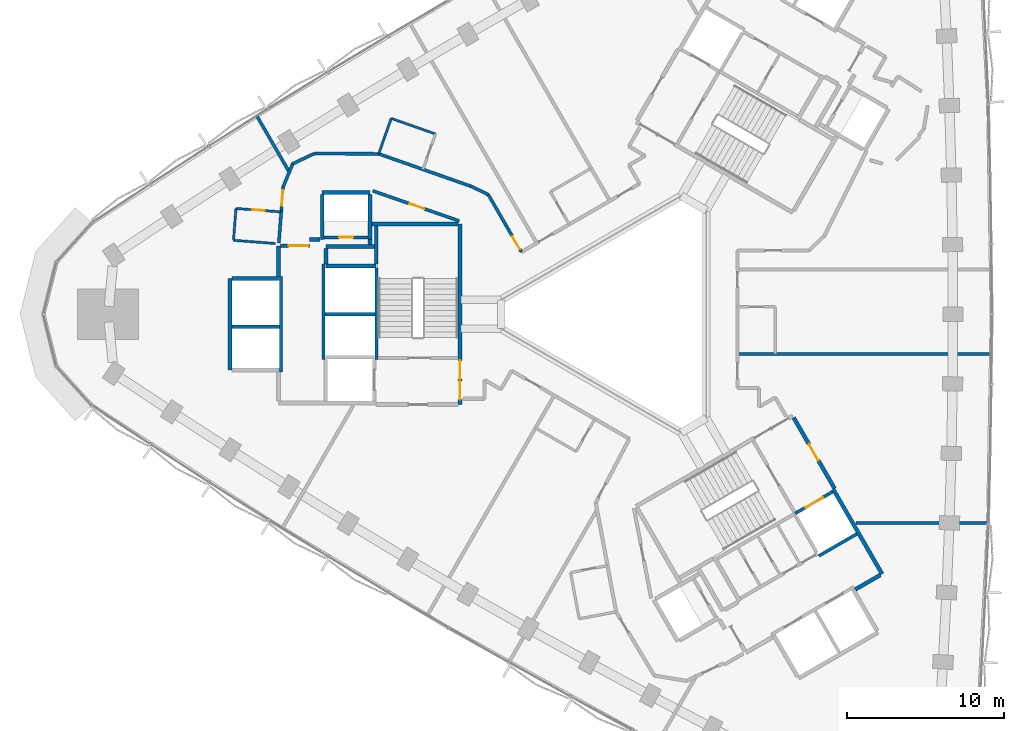
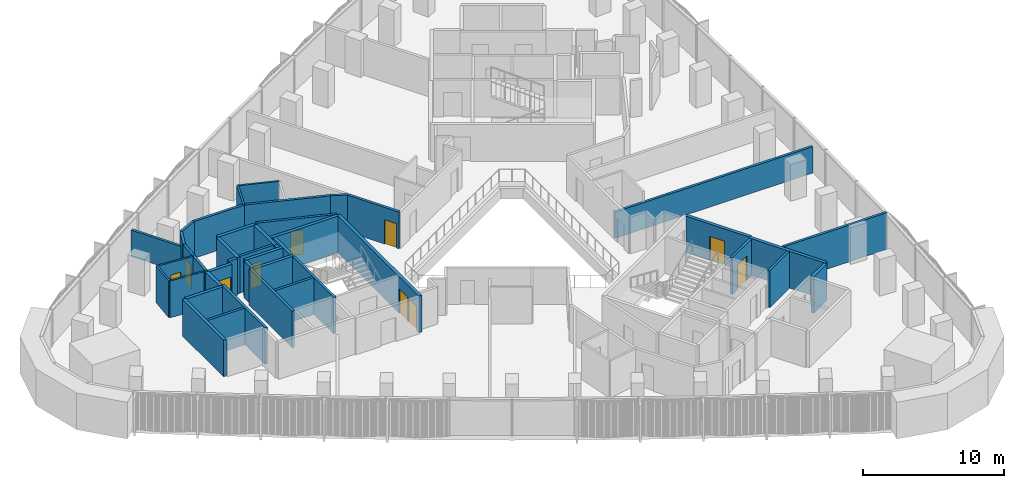
# One storey, part 9 of 15: 42 walls, 10 doors, 10 openings.
"""IFC4 building model written with IfcOpenShell, lengths in metres."""

from ifc_helpers import new_model, si_unit, direction, frame, frame_2d, origin, place, context, subcontext, project, spatial, rectangle, extrude, material, layer, layer_set, type_object, element, fill, save


model = new_model("IFC4")

# Units and contexts
model_context = context("Model", 3, precision=1e-05, world=origin(), true_north=direction((0.0, 1.0)))
body_context = subcontext(model_context, "Body", "Model", "MODEL_VIEW")
ifc_project = project(units=[si_unit("LENGTHUNIT", "METRE"), si_unit("AREAUNIT", "SQUARE_METRE"), si_unit("VOLUMEUNIT", "CUBIC_METRE"), si_unit("PLANEANGLEUNIT", "RADIAN"), si_unit("MASSUNIT", "GRAM", prefix="KILO")], contexts=[model_context])

# Site, building, storey
site_placement = place(None, origin())
site = spatial("IfcSite", under=ifc_project, at=site_placement, CompositionType="ELEMENT")
building_placement = place(site_placement, origin())
building = spatial("IfcBuilding", under=site, at=building_placement, Name="Tamra Quay Hotel Tower", CompositionType="ELEMENT")
storey_placement = place(building_placement, frame((0.0, 0.0, 97.39990234375)))
storey = spatial("IfcBuildingStorey", under=building, at=storey_placement, Name="L23", CompositionType="ELEMENT", Elevation=97.39990234375)

# Walls
ifc_material_1 = material(Name="Concrete M70", Category="concrete")
ifc_layer_1 = layer(ifc_material_1, 0.199951171875)
ifc_layer_set_1 = layer_set([ifc_layer_1], Name="Concrete M70 core wall 200")
wall_type_1 = type_object("IfcWallType", Name="Concrete M70 core wall 200", PredefinedType="SHEAR", material=ifc_layer_set_1)
wall_1_placement = place(storey_placement, frame((-16.162109375, 2.95068359375, 0.0), z_axis=(0.0, 0.0, 1.0), x_axis=(0.0, -1.0, 0.0)))
element("IfcWall", 1, at=wall_1_placement, inside=storey, type_object=wall_type_1, Name="CW2", PredefinedType="SHEAR", context=body_context, shape_type="SweptSolid", body=[
    extrude(rectangle(XDim=5.850830078125, YDim=0.199951171875, at=frame_2d((2.92529296875, 0.0))), origin(), (0.0, 0.0, 1.0), 3.175048828125),
])
for number, where, z_axis, x_axis, name in (
    (2, (-19.5625, -2.900146484375, 0.0), (0.0, 0.0, 1.0), (0.0, 1.0, 0.0), "CW2"),
    (3, (-22.26220703125, 2.400146484375, 0.0), (0.0, 0.0, 1.0), (0.0, -1.0, 0.0), "CW2"),
):
    element("IfcWall", number, at=place(storey_placement, frame(where, z_axis=z_axis, x_axis=x_axis)), inside=storey, type_object=wall_type_1, Name=name, PredefinedType="SHEAR", context=body_context, shape_type="SweptSolid", body=[
        extrude(rectangle(XDim=6.100341796875, YDim=0.199951171875, at=frame_2d((3.05029296875, 0.0))), origin(), (0.0, 0.0, 1.0), 3.175048828125),
    ])
wall_2_placement = place(storey_placement, frame((-16.26318359375, 0.0, 0.0), z_axis=(0.0, 0.0, 1.0), x_axis=(-1.0, 0.0, 0.0)))
element("IfcWall", 4, at=wall_2_placement, inside=storey, type_object=wall_type_1, Name="CW2", PredefinedType="SHEAR", context=body_context, shape_type="SweptSolid", body=[
    extrude(rectangle(XDim=3.1982421875, YDim=0.199951171875, at=frame_2d((1.59912109375, 0.0))), origin(), (0.0, 0.0, 1.0), 3.175048828125),
])
wall_3_placement = place(storey_placement, frame((-22.36328125, -0.800048828125, 0.0), z_axis=(0.0, 0.0, 1.0), x_axis=(-1.0, 0.0, 0.0)))
element("IfcWall", 5, at=wall_3_placement, inside=storey, type_object=wall_type_1, Name="CW2", PredefinedType="SHEAR", context=body_context, shape_type="SweptSolid", body=[
    extrude(rectangle(XDim=3.048095703125, YDim=0.199951171875, at=frame_2d((1.52392578125, 0.0))), origin(), (0.0, 0.0, 1.0), 3.175048828125),
])

# Wall, opening, door
wall_4_placement = place(storey_placement, frame((-19.51123046875, 4.91015625, 0.0), z_axis=(0.0, 0.0, 1.0), x_axis=(1.0, 0.0, 0.0)))
wall_4 = element("IfcWall", 6, at=wall_4_placement, inside=storey, type_object=wall_type_1, Name="CW2", PredefinedType="SHEAR", context=body_context, shape_type="SweptSolid", body=[
    extrude(rectangle(XDim=2.7978515625, YDim=0.199951171875, at=frame_2d((1.39892578125, 0.0))), origin(), (0.0, 0.0, 1.0), 3.175048828125),
])
opening_1_placement = place(wall_4_placement, frame((0.948974609375, 0.0, 0.0)))
opening_1 = element("IfcOpeningElement", 7, at=opening_1_placement, cuts=wall_4, Name="Opening D1", PredefinedType="OPENING", context=body_context, shape_type="SweptSolid", body=[
    extrude(rectangle(XDim=0.89990234375, YDim=2.10009765625, at=frame_2d((0.449951171875, 1.050048828125))), frame((0.0, 0.10986328125, 0.0), z_axis=(0.0, -1.0, 0.0), x_axis=(1.0, 0.0, 0.0)), (0.0, 0.0, 1.0), 0.219970703125),
])
ifc_material_2 = material(Name="Core door D1 900x2100 LH")
door_type_1 = type_object("IfcDoorType", Name="Core door D1 900x2100 LH", OperationType="NOTDEFINED", PredefinedType="DOOR", material=ifc_material_2)
door_1_placement = place(opening_1_placement, origin())
door_1 = element("IfcDoor", 8, at=door_1_placement, inside=storey, type_object=door_type_1, Name="D1", OperationType="SINGLE_SWING_LEFT", OverallHeight=2.10009765625, OverallWidth=0.89990234375, PredefinedType="DOOR", context=body_context, shape_type="SweptSolid", body=[
    extrude(rectangle(XDim=0.89990234375, YDim=2.10009765625, at=frame_2d((0.449951171875, 1.050048828125))), frame((0.0, 0.02490234375, 0.0), z_axis=(0.0, -1.0, 0.0), x_axis=(1.0, 0.0, 0.0)), (0.0, 0.0, 1.0), 0.050048828125),
])
fill(opening_1, door_1)

wall_5_placement = place(storey_placement, frame((10.587158203125, -12.72314453125, 0.0), z_axis=(0.0, 0.0, 1.0), x_axis=(0.866037306777, 0.499979382845, 0.0)))
wall_5 = element("IfcWall", 9, at=wall_5_placement, inside=storey, type_object=wall_type_1, Name="CW2", PredefinedType="SHEAR", context=body_context, shape_type="SweptSolid", body=[
    extrude(rectangle(XDim=2.74169921875, YDim=0.199951171875, at=frame_2d((1.370849609375, 0.0))), origin(), (0.0, 0.0, 1.0), 3.175048828125),
])
opening_2_placement = place(wall_5_placement, frame((0.742919921875, 0.0, 0.0)))
opening_2 = element("IfcOpeningElement", 10, at=opening_2_placement, cuts=wall_5, Name="Opening LD", PredefinedType="OPENING", context=body_context, shape_type="SweptSolid", body=[
    extrude(rectangle(XDim=1.300048828125, YDim=2.10009765625, at=frame_2d((0.64990234375, 1.050048828125))), frame((0.0, 0.10986328125, 0.0), z_axis=(0.0, -1.0, 0.0), x_axis=(1.0, 0.0, 0.0)), (0.0, 0.0, 1.0), 0.219970703125),
])
ifc_material_3 = material(Name="Landing door LD 1300 sliding to left")
door_type_2 = type_object("IfcDoorType", Name="Landing door LD 1300 sliding to left", OperationType="NOTDEFINED", PredefinedType="DOOR", material=ifc_material_3)
door_2_placement = place(opening_2_placement, origin())
door_2 = element("IfcDoor", 11, at=door_2_placement, inside=storey, type_object=door_type_2, Name="LD", OperationType="SLIDING_TO_LEFT", OverallHeight=2.10009765625, OverallWidth=1.300048828125, PredefinedType="DOOR", context=body_context, shape_type="SweptSolid", body=[
    extrude(rectangle(XDim=1.300048828125, YDim=2.10009765625, at=frame_2d((0.64990234375, 1.050048828125))), frame((0.0, 0.02490234375, 0.0), z_axis=(0.0, -1.0, 0.0), x_axis=(1.0, 0.0, 0.0)), (0.0, 0.0, 1.0), 0.050048828125),
])
fill(opening_2, door_2)

# Wall
wall_6_placement = place(storey_placement, frame((14.51171875, -14.037109375, 0.0), z_axis=(0.0, 0.0, 1.0), x_axis=(-0.866044696403, -0.499966582715, 0.0)))
element("IfcWall", 12, at=wall_6_placement, inside=storey, type_object=wall_type_1, Name="CW2", PredefinedType="SHEAR", context=body_context, shape_type="SweptSolid", body=[
    extrude(rectangle(XDim=2.799072265625, YDim=0.199951171875, at=frame_2d((1.3994140625, 0.0))), origin(), (0.0, 0.0, 1.0), 3.175048828125),
])

# Wall, openings, doors
ifc_layer_2 = layer(ifc_material_1, 0.25)
ifc_layer_set_2 = layer_set([ifc_layer_2], Name="Concrete M70 core wall 250")
wall_type_2 = type_object("IfcWallType", Name="Concrete M70 core wall 250", PredefinedType="SHEAR", material=ifc_layer_set_2)
wall_7_placement = place(storey_placement, frame((-10.83740234375, 5.77490234375, 0.0), z_axis=(0.0, 0.0, 1.0), x_axis=(0.0, -1.0, 0.0)))
wall_7 = element("IfcWall", 13, at=wall_7_placement, inside=storey, type_object=wall_type_2, Name="CW1", PredefinedType="SHEAR", context=body_context, shape_type="SweptSolid", body=[
    extrude(rectangle(XDim=11.5498046875, YDim=0.25, at=frame_2d((5.77490234375, 0.0))), origin(), (0.0, 0.0, 1.0), 3.175048828125),
])
opening_3_placement = place(wall_7_placement, frame((10.02490234375, 0.0, 0.0)))
opening_3 = element("IfcOpeningElement", 14, at=opening_3_placement, cuts=wall_7, Name="Opening FD1", PredefinedType="OPENING", context=body_context, shape_type="SweptSolid", body=[
    extrude(rectangle(XDim=1.199951171875, YDim=2.10009765625, at=frame_2d((0.60009765625, 1.050048828125))), frame((0.0, 0.135009765625, 0.0), z_axis=(0.0, -1.0, 0.0), x_axis=(1.0, 0.0, 0.0)), (0.0, 0.0, 1.0), 0.27001953125),
])
opening_4_placement = place(wall_7_placement, frame((8.72509765625, 0.0, 0.0)))
opening_4 = element("IfcOpeningElement", 15, at=opening_4_placement, cuts=wall_7, Name="Opening FD1", PredefinedType="OPENING", context=body_context, shape_type="SweptSolid", body=[
    extrude(rectangle(XDim=1.199951171875, YDim=2.10009765625, at=frame_2d((0.60009765625, 1.050048828125))), frame((0.0, 0.135009765625, 0.0), z_axis=(0.0, -1.0, 0.0), x_axis=(1.0, 0.0, 0.0)), (0.0, 0.0, 1.0), 0.27001953125),
])
ifc_material_4 = material(Name="Core door FD1 1200x2100 LH")
door_type_3 = type_object("IfcDoorType", Name="Core door FD1 1200x2100 LH", OperationType="NOTDEFINED", PredefinedType="DOOR", material=ifc_material_4)
door_3_placement = place(opening_3_placement, origin())
door_3 = element("IfcDoor", 16, at=door_3_placement, inside=storey, type_object=door_type_3, Name="FD1", OperationType="SINGLE_SWING_LEFT", OverallHeight=2.10009765625, OverallWidth=1.199951171875, PredefinedType="DOOR", context=body_context, shape_type="SweptSolid", body=[
    extrude(rectangle(XDim=1.199951171875, YDim=2.10009765625, at=frame_2d((0.60009765625, 1.050048828125))), frame((0.0, 0.02490234375, 0.0), z_axis=(0.0, -1.0, 0.0), x_axis=(1.0, 0.0, 0.0)), (0.0, 0.0, 1.0), 0.050048828125),
])
fill(opening_3, door_3)
ifc_material_5 = material(Name="Core door FD1 1200x2100 RH")
door_type_4 = type_object("IfcDoorType", Name="Core door FD1 1200x2100 RH", OperationType="NOTDEFINED", PredefinedType="DOOR", material=ifc_material_5)
door_4_placement = place(opening_4_placement, origin())
door_4 = element("IfcDoor", 17, at=door_4_placement, inside=storey, type_object=door_type_4, Name="FD1", OperationType="SINGLE_SWING_RIGHT", OverallHeight=2.10009765625, OverallWidth=1.199951171875, PredefinedType="DOOR", context=body_context, shape_type="SweptSolid", body=[
    extrude(rectangle(XDim=1.199951171875, YDim=2.10009765625, at=frame_2d((0.60009765625, 1.050048828125))), frame((0.0, 0.02490234375, 0.0), z_axis=(0.0, -1.0, 0.0), x_axis=(1.0, 0.0, 0.0)), (0.0, 0.0, 1.0), 0.050048828125),
])
fill(opening_4, door_4)

# Walls
wall_8_placement = place(storey_placement, frame((-25.537353515625, -3.574951171875, 0.0), z_axis=(0.0, 0.0, 1.0), x_axis=(0.0, 1.0, 0.0)))
element("IfcWall", 18, at=wall_8_placement, inside=storey, type_object=wall_type_2, Name="CW1", PredefinedType="SHEAR", context=body_context, shape_type="SweptSolid", body=[
    extrude(rectangle(XDim=5.849853515625, YDim=0.25, at=frame_2d((2.9248046875, 0.0))), origin(), (0.0, 0.0, 1.0), 3.175048828125),
])
wall_9_placement = place(storey_placement, frame((-16.47216796875, 5.77490234375, 0.0), z_axis=(0.0, 0.0, 1.0), x_axis=(1.0, 0.0, 0.0)))
element("IfcWall", 19, at=wall_9_placement, inside=storey, type_object=wall_type_2, Name="CW1", PredefinedType="SHEAR", context=body_context, shape_type="SweptSolid", body=[
    extrude(rectangle(XDim=5.509521484375, YDim=0.25, at=frame_2d((2.7548828125, 0.0))), origin(), (0.0, 0.0, 1.0), 3.175048828125),
])
wall_10_placement = place(storey_placement, frame((-19.38720703125, 3.074951171875, 0.0), z_axis=(0.0, 0.0, 1.0), x_axis=(1.0, 0.0, 0.0)))
element("IfcWall", 20, at=wall_10_placement, inside=storey, type_object=wall_type_2, Name="CW1", PredefinedType="SHEAR", context=body_context, shape_type="SweptSolid", body=[
    extrude(rectangle(XDim=3.199951171875, YDim=0.25, at=frame_2d((1.60009765625, 0.0))), origin(), (0.0, 0.0, 1.0), 3.175048828125),
])
wall_11_placement = place(storey_placement, frame((-25.411865234375, 2.27490234375, 0.0), z_axis=(0.0, 0.0, 1.0), x_axis=(1.0, 0.0, 0.0)))
element("IfcWall", 21, at=wall_11_placement, inside=storey, type_object=wall_type_2, Name="CW1", PredefinedType="SHEAR", context=body_context, shape_type="SweptSolid", body=[
    extrude(rectangle(XDim=2.974609375, YDim=0.25, at=frame_2d((1.4873046875, 0.0))), origin(), (0.0, 0.0, 1.0), 3.175048828125),
])
wall_12_placement = place(storey_placement, frame((-19.63720703125, 7.77490234375, 0.0), z_axis=(0.0, 0.0, 1.0), x_axis=(1.0, 0.0, 0.0)))
element("IfcWall", 22, at=wall_12_placement, inside=storey, type_object=wall_type_2, Name="CW1", PredefinedType="SHEAR", context=body_context, shape_type="SweptSolid", body=[
    extrude(rectangle(XDim=3.0498046875, YDim=0.25, at=frame_2d((1.52490234375, 0.0))), origin(), (0.0, 0.0, 1.0), 3.175048828125),
])
for number, where, z_axis, x_axis, name in (
    (23, (-16.58740234375, 7.649658203125, 0.0), (0.0, 0.0, 1.0), (0.0, -1.0, 0.0), "CW1"),
    (24, (-19.63720703125, 4.784912109375, 0.0), (0.0, 0.0, 1.0), (0.0, 1.0, 0.0), "CW1"),
):
    element("IfcWall", number, at=place(storey_placement, frame(where, z_axis=z_axis, x_axis=x_axis)), inside=storey, type_object=wall_type_2, Name=name, PredefinedType="SHEAR", context=body_context, shape_type="SweptSolid", body=[
        extrude(rectangle(XDim=2.86474609375, YDim=0.25, at=frame_2d((1.432373046875, 0.0))), origin(), (0.0, 0.0, 1.0), 3.175048828125),
    ])
wall_13_placement = place(storey_placement, frame((-16.30224609375, 4.31494140625, 0.0), z_axis=(0.0, 0.0, 1.0), x_axis=(-1.0, 0.0, 0.0)))
element("IfcWall", 25, at=wall_13_placement, inside=storey, type_object=wall_type_2, Name="CW1", PredefinedType="SHEAR", context=body_context, shape_type="SweptSolid", body=[
    extrude(rectangle(XDim=3.0849609375, YDim=0.25, at=frame_2d((1.54248046875, 0.0))), origin(), (0.0, 0.0, 1.0), 3.175048828125),
])
wall_14_placement = place(storey_placement, frame((-16.187255859375, 3.200439453125, 0.0), z_axis=(0.0, 0.0, 1.0), x_axis=(0.0, 1.0, 0.0)))
element("IfcWall", 26, at=wall_14_placement, inside=storey, type_object=wall_type_2, Name="CW1", PredefinedType="SHEAR", context=body_context, shape_type="SweptSolid", body=[
    extrude(rectangle(XDim=2.44921875, YDim=0.25, at=frame_2d((1.224609375, 0.0))), origin(), (0.0, 0.0, 1.0), 3.175048828125),
])
wall_15_placement = place(storey_placement, frame((-22.437255859375, 2.400390625, 0.0), z_axis=(0.0, 0.0, 1.0), x_axis=(0.0, 1.0, 0.0)))
element("IfcWall", 27, at=wall_15_placement, inside=storey, type_object=wall_type_2, Name="CW1", PredefinedType="SHEAR", context=body_context, shape_type="SweptSolid", body=[
    extrude(rectangle(XDim=1.974609375, YDim=0.25, at=frame_2d((0.9873046875, 0.0))), origin(), (0.0, 0.0, 1.0), 3.175048828125),
])

# Wall, opening, door
wall_16_placement = place(storey_placement, frame((-22.311767578125, 4.375, 0.0), z_axis=(0.0, 0.0, 1.0), x_axis=(1.0, 0.0, 0.0)))
wall_16 = element("IfcWall", 28, at=wall_16_placement, inside=storey, type_object=wall_type_2, Name="CW1", PredefinedType="SHEAR", context=body_context, shape_type="SweptSolid", body=[
    extrude(rectangle(XDim=1.864501953125, YDim=0.25, at=frame_2d((0.93212890625, 0.0))), origin(), (0.0, 0.0, 1.0), 3.175048828125),
])
opening_5_placement = place(wall_16_placement, frame((0.53466796875, 0.0, 0.0)))
opening_5 = element("IfcOpeningElement", 29, at=opening_5_placement, cuts=wall_16, Name="Opening FD3", PredefinedType="OPENING", context=body_context, shape_type="SweptSolid", body=[
    extrude(rectangle(XDim=1.25, YDim=2.10009765625, at=frame_2d((0.625, 1.050048828125))), frame((0.0, 0.135009765625, 0.0), z_axis=(0.0, -1.0, 0.0), x_axis=(1.0, 0.0, 0.0)), (0.0, 0.0, 1.0), 0.27001953125),
])
ifc_material_6 = material(Name="Core door FD3 1250x2100 LH")
door_type_5 = type_object("IfcDoorType", Name="Core door FD3 1250x2100 LH", OperationType="NOTDEFINED", PredefinedType="DOOR", material=ifc_material_6)
door_5_placement = place(opening_5_placement, origin())
door_5 = element("IfcDoor", 30, at=door_5_placement, inside=storey, type_object=door_type_5, Name="FD3", OperationType="SINGLE_SWING_LEFT", OverallHeight=2.10009765625, OverallWidth=1.25, PredefinedType="DOOR", context=body_context, shape_type="SweptSolid", body=[
    extrude(rectangle(XDim=1.25, YDim=2.10009765625, at=frame_2d((0.625, 1.050048828125))), frame((0.0, 0.02490234375, 0.0), z_axis=(0.0, -1.0, 0.0), x_axis=(1.0, 0.0, 0.0)), (0.0, 0.0, 1.0), 0.050048828125),
])
fill(opening_5, door_5)

# Walls
wall_17_placement = place(storey_placement, frame((-19.38720703125, 4.189697265625, 0.0), z_axis=(0.0, 0.0, 1.0), x_axis=(0.0, -1.0, 0.0)))
element("IfcWall", 31, at=wall_17_placement, inside=storey, type_object=wall_type_2, Name="CW1", PredefinedType="SHEAR", context=body_context, shape_type="SweptSolid", body=[
    extrude(rectangle(XDim=0.9892578125, YDim=0.25, at=frame_2d((0.49462890625, 0.0))), origin(), (0.0, 0.0, 1.0), 3.175048828125),
])
wall_18_placement = place(storey_placement, frame((-20.447265625, 4.784912109375, 0.0), z_axis=(0.0, 0.0, 1.0), x_axis=(1.0, 0.0, 0.0)))
element("IfcWall", 32, at=wall_18_placement, inside=storey, type_object=wall_type_2, Name="CW1", PredefinedType="SHEAR", context=body_context, shape_type="SweptSolid", body=[
    extrude(rectangle(XDim=0.6845703125, YDim=0.25, at=frame_2d((0.34228515625, 0.0))), origin(), (0.0, 0.0, 1.0), 3.175048828125),
])
wall_19_placement = place(storey_placement, frame((-16.577392578125, 4.784912109375, 0.0), z_axis=(0.0, 0.0, 1.0), x_axis=(0.0, -1.0, 0.0)))
element("IfcWall", 33, at=wall_19_placement, inside=storey, type_object=wall_type_2, Name="CW1", PredefinedType="SHEAR", context=body_context, shape_type="SweptSolid", body=[
    extrude(rectangle(XDim=0.344482421875, YDim=0.25, at=frame_2d((0.17236328125, 0.0))), origin(), (0.0, 0.0, 1.0), 3.175048828125),
])
wall_20_placement = place(storey_placement, frame((13.00830078125, -11.18115234375, 0.0), z_axis=(0.0, 0.0, 1.0), x_axis=(0.500004234368, -0.866022959057, 0.0)))
element("IfcWall", 34, at=wall_20_placement, inside=storey, type_object=wall_type_2, Name="CW1", PredefinedType="SHEAR", context=body_context, shape_type="SweptSolid", body=[
    extrude(rectangle(XDim=6.25, YDim=0.25, at=frame_2d((3.125, 0.0))), origin(), (0.0, 0.0, 1.0), 3.175048828125),
])

# Wall, opening, door
wall_21_placement = place(storey_placement, frame((10.482666015625, -6.6064453125, 0.0), z_axis=(0.0, 0.0, 1.0), x_axis=(0.49999885962, -0.866026062182, 0.0)))
wall_21 = element("IfcWall", 35, at=wall_21_placement, inside=storey, type_object=wall_type_2, Name="CW1", PredefinedType="SHEAR", context=body_context, shape_type="SweptSolid", body=[
    extrude(rectangle(XDim=5.224609375, YDim=0.25, at=frame_2d((2.6123046875, 0.0))), origin(), (0.0, 0.0, 1.0), 3.175048828125),
])
opening_6_placement = place(wall_21_placement, frame((1.94970703125, 0.0, 0.0)))
opening_6 = element("IfcOpeningElement", 36, at=opening_6_placement, cuts=wall_21, Name="Opening D2", PredefinedType="OPENING", context=body_context, shape_type="SweptSolid", body=[
    extrude(rectangle(XDim=1.199951171875, YDim=2.10009765625, at=frame_2d((0.60009765625, 1.050048828125))), frame((0.0, 0.135009765625, 0.0), z_axis=(0.0, -1.0, 0.0), x_axis=(1.0, 0.0, 0.0)), (0.0, 0.0, 1.0), 0.27001953125),
])
ifc_material_7 = material(Name="Core door D2 1200x2100 RH")
door_type_6 = type_object("IfcDoorType", Name="Core door D2 1200x2100 RH", OperationType="NOTDEFINED", PredefinedType="DOOR", material=ifc_material_7)
door_6_placement = place(opening_6_placement, origin())
door_6 = element("IfcDoor", 37, at=door_6_placement, inside=storey, type_object=door_type_6, Name="D2", OperationType="SINGLE_SWING_RIGHT", OverallHeight=2.10009765625, OverallWidth=1.199951171875, PredefinedType="DOOR", context=body_context, shape_type="SweptSolid", body=[
    extrude(rectangle(XDim=1.199951171875, YDim=2.10009765625, at=frame_2d((0.60009765625, 1.050048828125))), frame((0.0, 0.02490234375, 0.0), z_axis=(0.0, -1.0, 0.0), x_axis=(1.0, 0.0, 0.0)), (0.0, 0.0, 1.0), 0.050048828125),
])
fill(opening_6, door_6)

# Wall
wall_22_placement = place(storey_placement, frame((16.024658203125, -16.656494140625, 0.0), z_axis=(0.0, 0.0, 1.0), x_axis=(-0.866016279763, -0.500015802937, 0.0)))
element("IfcWall", 38, at=wall_22_placement, inside=storey, type_object=wall_type_2, Name="CW1", PredefinedType="SHEAR", context=body_context, shape_type="SweptSolid", body=[
    extrude(rectangle(XDim=1.84912109375, YDim=0.25, at=frame_2d((0.924560546875, 0.0))), origin(), (0.0, 0.0, 1.0), 3.175048828125),
])

# Wall, opening, door
ifc_material_8 = material(Name="Partition corridor wall")
ifc_layer_3 = layer(ifc_material_8, 0.199951171875)
ifc_layer_set_3 = layer_set([ifc_layer_3], Name="Partition corridor wall")
wall_type_3 = type_object("IfcWallType", Name="Partition corridor wall", PredefinedType="PARTITIONING", material=ifc_layer_set_3)
wall_23_placement = place(storey_placement, frame((-22.40625, 4.56005859375, 0.0), z_axis=(0.0, 0.0, 1.0), x_axis=(0.075763016136, 0.997125852331, 0.0)))
wall_23 = element("IfcWall", 39, at=wall_23_placement, inside=storey, type_object=wall_type_3, Name="W-C", PredefinedType="PARTITIONING", context=body_context, shape_type="SweptSolid", body=[
    extrude(rectangle(XDim=3.580078125, YDim=0.199951171875, at=frame_2d((1.7900390625, 0.0))), origin(), (0.0, 0.0, 1.0), 3.175048828125),
])
opening_7_placement = place(wall_23_placement, frame((2.38037109375, 0.0, 0.0)))
opening_7 = element("IfcOpeningElement", 40, at=opening_7_placement, cuts=wall_23, Name="Opening L23-D011", PredefinedType="OPENING", context=body_context, shape_type="SweptSolid", body=[
    extrude(rectangle(XDim=1.0, YDim=2.10009765625, at=frame_2d((0.5, 1.050048828125))), frame((0.0, 0.10986328125, 0.0), z_axis=(0.0, -1.0, 0.0), x_axis=(1.0, 0.0, 0.0)), (0.0, 0.0, 1.0), 0.219970703125),
])
ifc_material_9 = material(Name="Door guest room 1000x2100")
door_type_7 = type_object("IfcDoorType", Name="Door guest room 1000x2100", OperationType="NOTDEFINED", PredefinedType="DOOR", material=ifc_material_9)
door_7_placement = place(opening_7_placement, origin())
door_7 = element("IfcDoor", 41, at=door_7_placement, inside=storey, type_object=door_type_7, Name="L23-D011", OperationType="SINGLE_SWING_LEFT", OverallHeight=2.10009765625, OverallWidth=1.0, PredefinedType="DOOR", context=body_context, shape_type="SweptSolid", body=[
    extrude(rectangle(XDim=1.0, YDim=2.10009765625, at=frame_2d((0.5, 1.050048828125))), frame((0.0, 0.02490234375, 0.0), z_axis=(0.0, -1.0, 0.0), x_axis=(1.0, 0.0, 0.0)), (0.0, 0.0, 1.0), 0.050048828125),
])
fill(opening_7, door_7)

# Walls
wall_24_placement = place(storey_placement, frame((-22.13330078125, 8.13330078125, 0.0), z_axis=(0.0, 0.0, 1.0), x_axis=(0.382136457598, 0.924105907229, 0.0)))
element("IfcWall", 42, at=wall_24_placement, inside=storey, type_object=wall_type_3, Name="W-C", PredefinedType="PARTITIONING", context=body_context, shape_type="SweptSolid", body=[
    extrude(rectangle(XDim=1.602294921875, YDim=0.199951171875, at=frame_2d((0.80126953125, 0.0))), origin(), (0.0, 0.0, 1.0), 3.175048828125),
])
wall_25_placement = place(storey_placement, frame((-21.52099609375, 9.614013671875, 0.0), z_axis=(0.0, 0.0, 1.0), x_axis=(0.904083527367, 0.427355795028, 0.0)))
element("IfcWall", 43, at=wall_25_placement, inside=storey, type_object=wall_type_3, Name="W-C", PredefinedType="PARTITIONING", context=body_context, shape_type="SweptSolid", body=[
    extrude(rectangle(XDim=1.52294921875, YDim=0.199951171875, at=frame_2d((0.761474609375, 0.0))), origin(), (0.0, 0.0, 1.0), 3.175048828125),
])
wall_26_placement = place(storey_placement, frame((-20.14306640625, 10.26611328125, 0.0), z_axis=(0.0, 0.0, 1.0), x_axis=(0.999989297417, -0.004626559416, 0.0)))
element("IfcWall", 44, at=wall_26_placement, inside=storey, type_object=wall_type_3, Name="W-C", PredefinedType="PARTITIONING", context=body_context, shape_type="SweptSolid", body=[
    extrude(rectangle(XDim=4.115966796875, YDim=0.199951171875, at=frame_2d((2.05810546875, 0.0))), origin(), (0.0, 0.0, 1.0), 3.175048828125),
])

# Wall, opening, door
wall_27_placement = place(storey_placement, frame((-16.40234375, 7.879150390625, 0.0), z_axis=(0.0, 0.0, 1.0), x_axis=(0.94449961557, -0.328512520596, 0.0)))
wall_27 = element("IfcWall", 45, at=wall_27_placement, inside=storey, type_object=wall_type_3, Name="W-C", PredefinedType="PARTITIONING", context=body_context, shape_type="SweptSolid", body=[
    extrude(rectangle(XDim=5.842041015625, YDim=0.199951171875, at=frame_2d((2.9208984375, 0.0))), origin(), (0.0, 0.0, 1.0), 3.175048828125),
])
opening_8_placement = place(wall_27_placement, frame((2.47900390625, 0.0, 0.0)))
opening_8 = element("IfcOpeningElement", 46, at=opening_8_placement, cuts=wall_27, Name="Opening L23-D008", PredefinedType="OPENING", context=body_context, shape_type="SweptSolid", body=[
    extrude(rectangle(XDim=1.0, YDim=2.10009765625, at=frame_2d((0.5, 1.050048828125))), frame((0.0, 0.10986328125, 0.0), z_axis=(0.0, -1.0, 0.0), x_axis=(1.0, 0.0, 0.0)), (0.0, 0.0, 1.0), 0.219970703125),
])
door_8_placement = place(opening_8_placement, frame((1.0, 0.0, 0.0), z_axis=(0.0, 0.0, 1.0), x_axis=(-1.0, 0.0, 0.0)))
door_8 = element("IfcDoor", 47, at=door_8_placement, inside=storey, type_object=door_type_7, Name="L23-D008", OperationType="SINGLE_SWING_LEFT", OverallHeight=2.10009765625, OverallWidth=1.0, PredefinedType="DOOR", context=body_context, shape_type="SweptSolid", body=[
    extrude(rectangle(XDim=1.0, YDim=2.10009765625, at=frame_2d((0.5, 1.050048828125))), frame((0.0, 0.02490234375, 0.0), z_axis=(0.0, -1.0, 0.0), x_axis=(1.0, 0.0, 0.0)), (0.0, 0.0, 1.0), 0.050048828125),
])
fill(opening_8, door_8)

# Walls
wall_28_placement = place(storey_placement, frame((-16.026123046875, 10.246826171875, 0.0), z_axis=(0.0, 0.0, 1.0), x_axis=(0.943319426768, -0.331886214057, 0.0)))
element("IfcWall", 48, at=wall_28_placement, inside=storey, type_object=wall_type_3, Name="W-C", PredefinedType="PARTITIONING", context=body_context, shape_type="SweptSolid", body=[
    extrude(rectangle(XDim=6.236572265625, YDim=0.199951171875, at=frame_2d((3.1181640625, 0.0))), origin(), (0.0, 0.0, 1.0), 3.175048828125),
])
wall_29_placement = place(storey_placement, frame((-10.14306640625, 8.177001953125, 0.0), z_axis=(0.0, 0.0, 1.0), x_axis=(0.904033154172, -0.427462344726, 0.0)))
element("IfcWall", 49, at=wall_29_placement, inside=storey, type_object=wall_type_3, Name="W-C", PredefinedType="PARTITIONING", context=body_context, shape_type="SweptSolid", body=[
    extrude(rectangle(XDim=1.22802734375, YDim=0.199951171875, at=frame_2d((0.614013671875, 0.0))), origin(), (0.0, 0.0, 1.0), 3.175048828125),
])

# Wall, opening, door
wall_30_placement = place(storey_placement, frame((-9.032958984375, 7.652099609375, 0.0), z_axis=(0.0, 0.0, 1.0), x_axis=(0.500049463259, -0.865996844275, 0.0)))
wall_30 = element("IfcWall", 50, at=wall_30_placement, inside=storey, type_object=wall_type_3, Name="W-C", PredefinedType="PARTITIONING", context=body_context, shape_type="SweptSolid", body=[
    extrude(rectangle(XDim=4.24365234375, YDim=0.199951171875, at=frame_2d((2.121826171875, 0.0))), origin(), (0.0, 0.0, 1.0), 3.175048828125),
])
opening_9_placement = place(wall_30_placement, frame((3.093505859375, 0.0, 0.0)))
opening_9 = element("IfcOpeningElement", 51, at=opening_9_placement, cuts=wall_30, Name="Opening L23-D009", PredefinedType="OPENING", context=body_context, shape_type="SweptSolid", body=[
    extrude(rectangle(XDim=0.949951171875, YDim=2.10009765625, at=frame_2d((0.47509765625, 1.050048828125))), frame((0.0, 0.10986328125, 0.0), z_axis=(0.0, -1.0, 0.0), x_axis=(1.0, 0.0, 0.0)), (0.0, 0.0, 1.0), 0.219970703125),
])
ifc_material_10 = material(Name="Door guest room 950x2100")
door_type_8 = type_object("IfcDoorType", Name="Door guest room 950x2100", OperationType="NOTDEFINED", PredefinedType="DOOR", material=ifc_material_10)
door_9_placement = place(opening_9_placement, frame((0.949951171875, 0.0, 0.0), z_axis=(0.0, 0.0, 1.0), x_axis=(-1.0, 0.0, 0.0)))
door_9 = element("IfcDoor", 52, at=door_9_placement, inside=storey, type_object=door_type_8, Name="L23-D009", OperationType="SINGLE_SWING_LEFT", OverallHeight=2.10009765625, OverallWidth=0.949951171875, PredefinedType="DOOR", context=body_context, shape_type="SweptSolid", body=[
    extrude(rectangle(XDim=0.949951171875, YDim=2.10009765625, at=frame_2d((0.47509765625, 1.050048828125))), frame((0.0, 0.02490234375, 0.0), z_axis=(0.0, -1.0, 0.0), x_axis=(1.0, 0.0, 0.0)), (0.0, 0.0, 1.0), 0.050048828125),
])
fill(opening_9, door_9)

# Walls
ifc_material_11 = material(Name="Partition en-suite wall")
ifc_layer_4 = layer(ifc_material_11, 0.14990234375)
ifc_layer_set_4 = layer_set([ifc_layer_4], Name="Partition en-suite wall")
wall_type_4 = type_object("IfcWallType", Name="Partition en-suite wall", PredefinedType="PARTITIONING", material=ifc_layer_set_4)
wall_31_placement = place(storey_placement, frame((-25.303955078125, 4.72412109375, 0.0), z_axis=(0.0, 0.0, 1.0), x_axis=(0.07659566833, 0.99706223657, 0.0)))
element("IfcWall", 53, at=wall_31_placement, inside=storey, type_object=wall_type_4, Name="W-E", PredefinedType="PARTITIONING", context=body_context, shape_type="SweptSolid", body=[
    extrude(rectangle(XDim=2.036865234375, YDim=0.14990234375, at=frame_2d((1.0185546875, 0.0))), origin(), (0.0, 0.0, 1.0), 3.175048828125),
])
wall_32_placement = place(storey_placement, frame((-25.302001953125, 4.721923828125, 0.0), z_axis=(0.0, 0.0, 1.0), x_axis=(0.997091241798, -0.076217160338, 0.0)))
element("IfcWall", 54, at=wall_32_placement, inside=storey, type_object=wall_type_4, Name="W-E", PredefinedType="PARTITIONING", context=body_context, shape_type="SweptSolid", body=[
    extrude(rectangle(XDim=2.6875, YDim=0.14990234375, at=frame_2d((1.34375, 0.0))), origin(), (0.0, 0.0, 1.0), 3.175048828125),
])

# Wall, opening, door
wall_33_placement = place(storey_placement, frame((-25.14599609375, 6.757080078125, 0.0), z_axis=(0.0, 0.0, 1.0), x_axis=(0.997113667183, -0.075923215933, 0.0)))
wall_33 = element("IfcWall", 55, at=wall_33_placement, inside=storey, type_object=wall_type_4, Name="W-E", PredefinedType="PARTITIONING", context=body_context, shape_type="SweptSolid", body=[
    extrude(rectangle(XDim=2.897216796875, YDim=0.14990234375, at=frame_2d((1.44873046875, 0.0))), origin(), (0.0, 0.0, 1.0), 3.175048828125),
])
opening_10_placement = place(wall_33_placement, frame((1.047607421875, 0.0, 0.0)))
opening_10 = element("IfcOpeningElement", 56, at=opening_10_placement, cuts=wall_33, Name="Opening L23-D012", PredefinedType="OPENING", context=body_context, shape_type="SweptSolid", body=[
    extrude(rectangle(XDim=0.800048828125, YDim=2.10009765625, at=frame_2d((0.39990234375, 1.050048828125))), frame((0.0, 0.0849609375, 0.0), z_axis=(0.0, -1.0, 0.0), x_axis=(1.0, 0.0, 0.0)), (0.0, 0.0, 1.0), 0.169921875),
])
ifc_material_12 = material(Name="Door en-suite 800x2100")
door_type_9 = type_object("IfcDoorType", Name="Door en-suite 800x2100", OperationType="NOTDEFINED", PredefinedType="DOOR", material=ifc_material_12)
door_10_placement = place(opening_10_placement, frame((0.800048828125, 0.0, 0.0), z_axis=(0.0, 0.0, 1.0), x_axis=(-1.0, 0.0, 0.0)))
door_10 = element("IfcDoor", 57, at=door_10_placement, inside=storey, type_object=door_type_9, Name="L23-D012", OperationType="SINGLE_SWING_LEFT", OverallHeight=2.10009765625, OverallWidth=0.800048828125, PredefinedType="DOOR", context=body_context, shape_type="SweptSolid", body=[
    extrude(rectangle(XDim=0.800048828125, YDim=2.10009765625, at=frame_2d((0.39990234375, 1.050048828125))), frame((0.0, 0.02490234375, 0.0), z_axis=(0.0, -1.0, 0.0), x_axis=(1.0, 0.0, 0.0)), (0.0, 0.0, 1.0), 0.050048828125),
])
fill(opening_10, door_10)

# Walls
wall_34_placement = place(storey_placement, frame((-16.02587890625, 10.2470703125, 0.0), z_axis=(0.0, 0.0, 1.0), x_axis=(0.332021869032, 0.943271688584, 0.0)))
element("IfcWall", 58, at=wall_34_placement, inside=storey, type_object=wall_type_4, Name="W-E", PredefinedType="PARTITIONING", context=body_context, shape_type="SweptSolid", body=[
    extrude(rectangle(XDim=2.400146484375, YDim=0.14990234375, at=frame_2d((1.2001953125, 0.0))), origin(), (0.0, 0.0, 1.0), 3.175048828125),
])
wall_35_placement = place(storey_placement, frame((-15.22900390625, 12.510986328125, 0.0), z_axis=(0.0, 0.0, 1.0), x_axis=(0.943278416238, -0.332002755198, 0.0)))
element("IfcWall", 59, at=wall_35_placement, inside=storey, type_object=wall_type_4, Name="W-E", PredefinedType="PARTITIONING", context=body_context, shape_type="SweptSolid", body=[
    extrude(rectangle(XDim=3.000244140625, YDim=0.14990234375, at=frame_2d((1.5, 0.0))), origin(), (0.0, 0.0, 1.0), 3.175048828125),
])
ifc_material_13 = material(Name="Partition party wall")
ifc_layer_5 = layer(ifc_material_13, 0.199951171875)
ifc_layer_set_5 = layer_set([ifc_layer_5], Name="Partition party wall")
wall_type_5 = type_object("IfcWallType", Name="Partition party wall", PredefinedType="PARTITIONING", material=ifc_layer_set_5)
wall_36_placement = place(storey_placement, frame((-23.811767578125, 12.666259765625, 0.0), z_axis=(0.0, 0.0, 1.0), x_axis=(0.499982807329, -0.86603532975, 0.0)))
element("IfcWall", 60, at=wall_36_placement, inside=storey, type_object=wall_type_5, Name="W-P", PredefinedType="PARTITIONING", context=body_context, shape_type="SweptSolid", body=[
    extrude(rectangle(XDim=4.139892578125, YDim=0.199951171875, at=frame_2d((2.06982421875, 0.0))), origin(), (0.0, 0.0, 1.0), 2.275146484375),
])
wall_37_placement = place(storey_placement, frame((6.90087890625, -2.531982421875, 0.0), z_axis=(0.0, 0.0, 1.0), x_axis=(1.0, 0.0, 0.0)))
element("IfcWall", 61, at=wall_37_placement, inside=storey, type_object=wall_type_5, Name="W-P", PredefinedType="PARTITIONING", context=body_context, shape_type="SweptSolid", body=[
    extrude(rectangle(XDim=16.224365234375, YDim=0.199951171875, at=frame_2d((8.1123046875, 0.0))), origin(), (0.0, 0.0, 1.0), 2.275146484375),
])
wall_38_placement = place(storey_placement, frame((14.4638671875, -13.33203125, 0.0), z_axis=(0.0, 0.0, 1.0), x_axis=(1.0, 0.0, 0.0)))
element("IfcWall", 62, at=wall_38_placement, inside=storey, type_object=wall_type_5, Name="W-P", PredefinedType="PARTITIONING", context=body_context, shape_type="SweptSolid", body=[
    extrude(rectangle(XDim=8.448486328125, YDim=0.199951171875, at=frame_2d((4.22412109375, 0.0))), origin(), (0.0, 0.0, 1.0), 3.175048828125),
])

save(model, "model.ifc")
